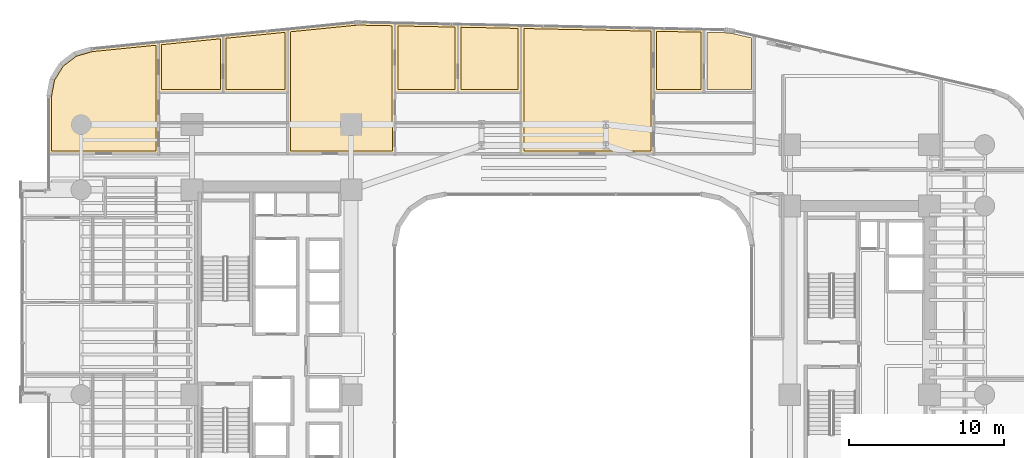
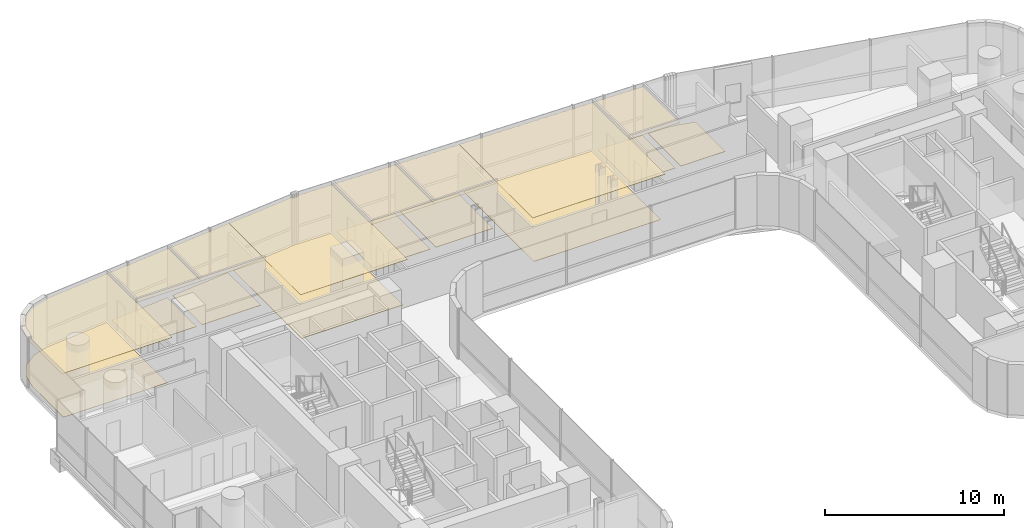
# One storey, part 39 of 40: 17 coverings.
"""IFC4 building model written with IfcOpenShell, lengths in metres."""

from ifc_helpers import new_model, si_unit, direction, frame, origin, place, context, subcontext, project, spatial, polyline, outline, extrude, material, layer, layer_set, type_object, element, save


model = new_model("IFC4")

# Units and contexts
model_context = context("Model", 3, precision=1e-05, world=origin(), true_north=direction((0.0, 1.0)))
body_context = subcontext(model_context, "Body", "Model", "MODEL_VIEW")
ifc_project = project(units=[si_unit("LENGTHUNIT", "METRE"), si_unit("AREAUNIT", "SQUARE_METRE"), si_unit("VOLUMEUNIT", "CUBIC_METRE"), si_unit("PLANEANGLEUNIT", "RADIAN"), si_unit("MASSUNIT", "GRAM", prefix="KILO")], contexts=[model_context])

# Site, building, storey
site_placement = place(None, origin())
site = spatial("IfcSite", under=ifc_project, at=site_placement, CompositionType="ELEMENT")
building_placement = place(site_placement, origin())
building = spatial("IfcBuilding", under=site, at=building_placement, Name="Valdorenza Pilgrim Sanctuary Tower", CompositionType="ELEMENT")
storey_placement = place(building_placement, frame((0.0, 0.0, 40.800048828125)))
storey = spatial("IfcBuildingStorey", under=building, at=storey_placement, Name="L09", CompositionType="ELEMENT", Elevation=40.800048828125)

# Coverings
ifc_material_1 = material(Name="Micro-perforated acoustic mineral ceiling tile", Category="gypsum")
ifc_layer_1 = layer(ifc_material_1, 0.02490234375, Name="Micro-perforated acoustic mineral ceiling tile")
ifc_layer_set_1 = layer_set([ifc_layer_1], Name="Micro-perforated acoustic mineral ceiling tile")
covering_type_1 = type_object("IfcCoveringType", Name="COV-CLG-ACU", PredefinedType="CEILING", material=ifc_layer_set_1)
covering_1_placement = place(storey_placement, frame((0.0, 0.0, 3.159912109375)))
element("IfcCovering", 1, at=covering_1_placement, inside=storey, type_object=covering_type_1, Name="L09 North Family Flat L09-N1 Bedroom 1 Acoustic Ceiling", PredefinedType="CEILING", context=body_context, shape_type="SweptSolid", body=[
    extrude(outline(polyline([(-24.802734375, 16.85498046875), (-24.80419921875, 16.85498046875), (-24.8056640625, 16.855224609375), (-24.80712890625, 16.855712890625), (-24.80859375, 16.856201171875), (-24.809814453125, 16.856689453125), (-24.81103515625, 16.857421875), (-24.812255859375, 16.8583984375), (-24.8134765625, 16.859375), (-24.814453125, 16.860595703125), (-24.815185546875, 16.86181640625), (-24.81591796875, 16.86279296875), (-24.816650390625, 16.8642578125), (-24.817138671875, 16.865478515625), (-24.8173828125, 16.8671875), (-24.817626953125, 16.868408203125), (-24.81787109375, 16.8701171875), (-24.81787109375, 20.109130859375), (-24.817626953125, 20.110595703125), (-24.8173828125, 20.112060546875), (-24.817138671875, 20.113525390625), (-24.816650390625, 20.114990234375), (-24.81591796875, 20.1162109375), (-24.815185546875, 20.117431640625), (-24.814453125, 20.11865234375), (-24.8134765625, 20.119873046875), (-24.812255859375, 20.120849609375), (-24.81103515625, 20.12158203125), (-24.809814453125, 20.122314453125), (-24.80859375, 20.123046875), (-24.80712890625, 20.12353515625), (-24.8056640625, 20.123779296875), (-24.80419921875, 20.1240234375), (-20.644287109375, 20.5400390625), (-20.642822265625, 20.540283203125), (-20.641357421875, 20.5400390625), (-20.639892578125, 20.539794921875), (-20.638671875, 20.53955078125), (-20.63720703125, 20.5390625), (-20.6357421875, 20.538330078125), (-20.634521484375, 20.53759765625), (-20.63330078125, 20.536865234375), (-20.63232421875, 20.535888671875), (-20.63134765625, 20.53466796875), (-20.63037109375, 20.533447265625), (-20.629638671875, 20.5322265625), (-20.62890625, 20.531005859375), (-20.62841796875, 20.529541015625), (-20.628173828125, 20.528076171875), (-20.6279296875, 20.526611328125), (-20.6279296875, 20.525146484375), (-20.6279296875, 16.8701171875), (-20.6279296875, 16.868408203125), (-20.628173828125, 16.8671875), (-20.62841796875, 16.865478515625), (-20.62890625, 16.8642578125), (-20.629638671875, 16.86279296875), (-20.63037109375, 16.86181640625), (-20.63134765625, 16.860595703125), (-20.63232421875, 16.859375), (-20.63330078125, 16.8583984375), (-20.634521484375, 16.857421875), (-20.6357421875, 16.856689453125), (-20.63720703125, 16.856201171875), (-20.638427734375, 16.855712890625), (-20.639892578125, 16.855224609375), (-20.641357421875, 16.85498046875), (-20.642822265625, 16.85498046875), (-24.802734375, 16.85498046875)])), origin(), (0.0, 0.0, 1.0), 0.025146484375),
])
covering_2_placement = place(storey_placement, frame((0.0, 0.0, 3.159912109375)))
element("IfcCovering", 2, at=covering_2_placement, inside=storey, type_object=covering_type_1, Name="L09 North Family Flat L09-N1 Bedroom 2 Acoustic Ceiling", PredefinedType="CEILING", context=body_context, shape_type="SweptSolid", body=[
    extrude(outline(polyline([(-20.656005859375, 20.525146484375), (-20.656005859375, 20.526123046875), (-20.65576171875, 20.527587890625), (-20.655517578125, 20.529296875), (-20.655029296875, 20.530517578125), (-20.654296875, 20.531982421875), (-20.653564453125, 20.533447265625), (-20.652587890625, 20.53466796875), (-20.65185546875, 20.535888671875), (-20.650634765625, 20.536865234375), (-20.6494140625, 20.53759765625), (-20.648193359375, 20.53857421875), (-20.646728515625, 20.539306640625), (-20.6455078125, 20.539794921875), (-20.643798828125, 20.5400390625), (-20.642333984375, 20.540283203125), (-16.484619140625, 20.9560546875), (-16.48291015625, 20.956298828125), (-16.4814453125, 20.9560546875), (-16.47998046875, 20.955810546875), (-16.478759765625, 20.95556640625), (-16.477294921875, 20.955078125), (-16.475830078125, 20.954345703125), (-16.474609375, 20.95361328125), (-16.473388671875, 20.952880859375), (-16.472412109375, 20.951904296875), (-16.471435546875, 20.95068359375), (-16.470458984375, 20.949462890625), (-16.4697265625, 20.9482421875), (-16.468994140625, 20.947021484375), (-16.468505859375, 20.945556640625), (-16.46826171875, 20.944091796875), (-16.468017578125, 20.942626953125), (-16.468017578125, 20.941162109375), (-16.468017578125, 16.8701171875), (-16.468017578125, 16.868408203125), (-16.46826171875, 16.8671875), (-16.468505859375, 16.865478515625), (-16.468994140625, 16.8642578125), (-16.4697265625, 16.86279296875), (-16.470458984375, 16.86181640625), (-16.471435546875, 16.860595703125), (-16.472412109375, 16.859375), (-16.473388671875, 16.8583984375), (-16.474609375, 16.857421875), (-16.475830078125, 16.856689453125), (-16.477294921875, 16.856201171875), (-16.478515625, 16.855712890625), (-16.47998046875, 16.855224609375), (-16.4814453125, 16.85498046875), (-16.48291015625, 16.85498046875), (-20.640869140625, 16.85498046875), (-20.642333984375, 16.85498046875), (-20.643798828125, 16.855224609375), (-20.645263671875, 16.855712890625), (-20.646484375, 16.856201171875), (-20.64794921875, 16.856689453125), (-20.649169921875, 16.857421875), (-20.650390625, 16.8583984375), (-20.651611328125, 16.859375), (-20.652587890625, 16.860595703125), (-20.6533203125, 16.86181640625), (-20.654052734375, 16.86279296875), (-20.65478515625, 16.8642578125), (-20.6552734375, 16.865478515625), (-20.655517578125, 16.8671875), (-20.65576171875, 16.868408203125), (-20.656005859375, 16.8701171875), (-20.656005859375, 20.525146484375), (-20.656005859375, 20.525146484375)])), origin(), (0.0, 0.0, 1.0), 0.025146484375),
])
covering_3_placement = place(storey_placement, frame((0.0, 0.0, 3.159912109375)))
element("IfcCovering", 3, at=covering_3_placement, inside=storey, type_object=covering_type_1, Name="L09 North Family Flat L09-N1 Living Room Acoustic Ceiling", PredefinedType="CEILING", context=body_context, shape_type="SweptSolid", body=[
    extrude(outline(polyline([(-31.889892578125, 12.905029296875), (-31.8916015625, 12.905029296875), (-31.892822265625, 12.9052734375), (-31.894287109375, 12.905517578125), (-31.895751953125, 12.906005859375), (-31.897216796875, 12.90673828125), (-31.898193359375, 12.907470703125), (-31.8994140625, 12.908447265625), (-31.900634765625, 12.909423828125), (-31.901611328125, 12.910400390625), (-31.902587890625, 12.91162109375), (-31.9033203125, 12.912841796875), (-31.90380859375, 12.914306640625), (-31.904296875, 12.91552734375), (-31.90478515625, 12.9169921875), (-31.90478515625, 12.91845703125), (-31.905029296875, 12.919921875), (-31.905029296875, 16.593994140625), (-31.90478515625, 16.59521484375), (-31.90478515625, 16.5966796875), (-31.6962890625, 17.717041015625), (-31.696044921875, 17.718505859375), (-31.695556640625, 17.7197265625), (-31.695068359375, 17.720947265625), (-31.6943359375, 17.72216796875), (-31.102294921875, 18.68408203125), (-31.1015625, 18.685302734375), (-31.100830078125, 18.686279296875), (-31.099853515625, 18.687255859375), (-31.0986328125, 18.688232421875), (-30.20068359375, 19.372802734375), (-30.199462890625, 19.37353515625), (-30.1982421875, 19.374267578125), (-30.197021484375, 19.374755859375), (-30.19580078125, 19.375244140625), (-29.1015625, 19.694091796875), (-29.10009765625, 19.694580078125), (-29.098876953125, 19.694580078125), (-24.806396484375, 20.123779296875), (-24.8046875, 20.1240234375), (-24.80322265625, 20.123779296875), (-24.802001953125, 20.123779296875), (-24.800537109375, 20.123291015625), (-24.799072265625, 20.122802734375), (-24.797607421875, 20.122314453125), (-24.79638671875, 20.12158203125), (-24.79541015625, 20.12060546875), (-24.794189453125, 20.11962890625), (-24.793212890625, 20.118408203125), (-24.792236328125, 20.1171875), (-24.79150390625, 20.1162109375), (-24.791015625, 20.11474609375), (-24.790283203125, 20.11328125), (-24.7900390625, 20.11181640625), (-24.789794921875, 20.110595703125), (-24.789794921875, 20.10888671875), (-24.789794921875, 16.87548828125), (-24.78955078125, 16.875), (-24.788818359375, 16.87353515625), (-24.788330078125, 16.872314453125), (-24.7880859375, 16.870849609375), (-24.787841796875, 16.869384765625), (-24.787841796875, 16.867919921875), (-24.787841796875, 12.919921875), (-24.787841796875, 12.91845703125), (-24.7880859375, 12.9169921875), (-24.788330078125, 12.91552734375), (-24.788818359375, 12.914306640625), (-24.78955078125, 12.912841796875), (-24.790283203125, 12.91162109375), (-24.791259765625, 12.910400390625), (-24.792236328125, 12.909423828125), (-24.793212890625, 12.908447265625), (-24.79443359375, 12.907470703125), (-24.795654296875, 12.90673828125), (-24.797119140625, 12.906005859375), (-24.79833984375, 12.905517578125), (-24.7998046875, 12.9052734375), (-24.80126953125, 12.905029296875), (-24.802734375, 12.905029296875), (-31.889892578125, 12.905029296875)])), origin(), (0.0, 0.0, 1.0), 0.025146484375),
])
covering_4_placement = place(storey_placement, frame((0.0, 0.0, 3.159912109375)))
element("IfcCovering", 4, at=covering_4_placement, inside=storey, type_object=covering_type_1, Name="L09 North Family Flat L09-N2 Bedroom 1 Acoustic Ceiling", PredefinedType="CEILING", context=body_context, shape_type="SweptSolid", body=[
    extrude(outline(polyline([(-9.57568359375, 16.85498046875), (-9.5771484375, 16.85498046875), (-9.57861328125, 16.855224609375), (-9.580078125, 16.855712890625), (-9.581298828125, 16.856201171875), (-9.582763671875, 16.856689453125), (-9.583984375, 16.857421875), (-9.585205078125, 16.8583984375), (-9.586181640625, 16.859375), (-9.587158203125, 16.860595703125), (-9.588134765625, 16.86181640625), (-9.5888671875, 16.86279296875), (-9.589599609375, 16.8642578125), (-9.590087890625, 16.865478515625), (-9.59033203125, 16.8671875), (-9.590576171875, 16.868408203125), (-9.590576171875, 16.8701171875), (-9.590576171875, 21.339599609375), (-9.590576171875, 21.341064453125), (-9.59033203125, 21.342529296875), (-9.58984375, 21.343994140625), (-9.58935546875, 21.34521484375), (-9.5888671875, 21.3466796875), (-9.587890625, 21.347900390625), (-9.587158203125, 21.34912109375), (-9.586181640625, 21.35009765625), (-9.5849609375, 21.351318359375), (-9.583740234375, 21.35205078125), (-9.58251953125, 21.352783203125), (-9.5810546875, 21.353515625), (-9.57958984375, 21.35400390625), (-9.578369140625, 21.354248046875), (-9.576904296875, 21.3544921875), (-9.5751953125, 21.3544921875), (-5.52099609375, 21.27001953125), (-5.51953125, 21.27001953125), (-5.51806640625, 21.269775390625), (-5.5166015625, 21.269287109375), (-5.515380859375, 21.268798828125), (-5.513916015625, 21.26806640625), (-5.5126953125, 21.267333984375), (-5.51171875, 21.2666015625), (-5.510498046875, 21.265380859375), (-5.509521484375, 21.264404296875), (-5.5087890625, 21.26318359375), (-5.508056640625, 21.261962890625), (-5.50732421875, 21.2607421875), (-5.5068359375, 21.25927734375), (-5.506591796875, 21.2578125), (-5.50634765625, 21.256591796875), (-5.50634765625, 21.2548828125), (-5.50634765625, 16.8701171875), (-5.50634765625, 16.868408203125), (-5.506591796875, 16.8671875), (-5.5068359375, 16.865478515625), (-5.50732421875, 16.8642578125), (-5.508056640625, 16.86279296875), (-5.5087890625, 16.86181640625), (-5.509765625, 16.860595703125), (-5.5107421875, 16.859375), (-5.51171875, 16.8583984375), (-5.512939453125, 16.857421875), (-5.51416015625, 16.856689453125), (-5.515625, 16.856201171875), (-5.516845703125, 16.855712890625), (-5.518310546875, 16.855224609375), (-5.519775390625, 16.85498046875), (-5.521240234375, 16.85498046875), (-9.57568359375, 16.85498046875)])), origin(), (0.0, 0.0, 1.0), 0.025146484375),
])
covering_5_placement = place(storey_placement, frame((0.0, 0.0, 3.159912109375)))
element("IfcCovering", 5, at=covering_5_placement, inside=storey, type_object=covering_type_1, Name="L09 North Family Flat L09-N2 Bedroom 2 Acoustic Ceiling", PredefinedType="CEILING", context=body_context, shape_type="SweptSolid", body=[
    extrude(outline(polyline([(-5.519287109375, 16.85498046875), (-5.520751953125, 16.85498046875), (-5.522216796875, 16.855224609375), (-5.523681640625, 16.855712890625), (-5.52490234375, 16.856201171875), (-5.5263671875, 16.856689453125), (-5.527587890625, 16.857421875), (-5.52880859375, 16.8583984375), (-5.52978515625, 16.859375), (-5.531005859375, 16.860595703125), (-5.53173828125, 16.86181640625), (-5.532470703125, 16.86279296875), (-5.533203125, 16.8642578125), (-5.53369140625, 16.865478515625), (-5.533935546875, 16.8671875), (-5.5341796875, 16.868408203125), (-5.5341796875, 16.8701171875), (-5.5341796875, 21.2548828125), (-5.5341796875, 21.256591796875), (-5.533935546875, 21.2578125), (-5.53369140625, 21.259521484375), (-5.533203125, 21.2607421875), (-5.532470703125, 21.26220703125), (-5.53173828125, 21.263427734375), (-5.53076171875, 21.2646484375), (-5.52978515625, 21.265625), (-5.52880859375, 21.2666015625), (-5.527587890625, 21.267578125), (-5.526123046875, 21.268310546875), (-5.52490234375, 21.268798828125), (-5.5234375, 21.269287109375), (-5.52197265625, 21.269775390625), (-5.5205078125, 21.27001953125), (-5.51904296875, 21.27001953125), (-1.466796875, 21.185546875), (-1.465087890625, 21.185546875), (-1.4638671875, 21.185302734375), (-1.46240234375, 21.184814453125), (-1.4609375, 21.184326171875), (-1.459716796875, 21.18359375), (-1.45849609375, 21.182861328125), (-1.457275390625, 21.181884765625), (-1.456298828125, 21.18115234375), (-1.455322265625, 21.179931640625), (-1.45458984375, 21.1787109375), (-1.45361328125, 21.177490234375), (-1.453125, 21.17626953125), (-1.45263671875, 21.1748046875), (-1.452392578125, 21.17333984375), (-1.4521484375, 21.172119140625), (-1.451904296875, 21.170654296875), (-1.451904296875, 16.8701171875), (-1.4521484375, 16.868408203125), (-1.452392578125, 16.8671875), (-1.45263671875, 16.865478515625), (-1.453125, 16.8642578125), (-1.453857421875, 16.86279296875), (-1.45458984375, 16.86181640625), (-1.455322265625, 16.860595703125), (-1.456298828125, 16.859375), (-1.45751953125, 16.8583984375), (-1.458740234375, 16.857421875), (-1.4599609375, 16.856689453125), (-1.461181640625, 16.856201171875), (-1.462646484375, 16.855712890625), (-1.464111328125, 16.855224609375), (-1.465576171875, 16.85498046875), (-1.467041015625, 16.85498046875), (-5.519287109375, 16.85498046875)])), origin(), (0.0, 0.0, 1.0), 0.025146484375),
])
covering_6_placement = place(storey_placement, frame((0.0, 0.0, 3.159912109375)))
element("IfcCovering", 6, at=covering_6_placement, inside=storey, type_object=covering_type_1, Name="L09 North Family Flat L09-N2 Living Room Acoustic Ceiling", PredefinedType="CEILING", context=body_context, shape_type="SweptSolid", body=[
    extrude(outline(polyline([(-16.49609375, 14.918212890625), (-16.49609375, 14.9189453125), (-16.496337890625, 14.92041015625), (-16.49609375, 14.922119140625), (-16.49609375, 14.923583984375), (-16.49609375, 14.923828125), (-16.49609375, 16.8662109375), (-16.49609375, 16.866943359375), (-16.496337890625, 16.868408203125), (-16.49609375, 16.8701171875), (-16.49609375, 16.87158203125), (-16.49609375, 16.871826171875), (-16.49609375, 20.941162109375), (-16.49609375, 20.941162109375), (-16.49609375, 20.942138671875), (-16.495849609375, 20.943603515625), (-16.49560546875, 20.9453125), (-16.4951171875, 20.946533203125), (-16.494384765625, 20.947998046875), (-16.49365234375, 20.94921875), (-16.492919921875, 20.95068359375), (-16.491943359375, 20.95166015625), (-16.49072265625, 20.952880859375), (-16.489501953125, 20.95361328125), (-16.48828125, 20.95458984375), (-16.48681640625, 20.955078125), (-16.485595703125, 20.955810546875), (-16.48388671875, 20.9560546875), (-16.482421875, 20.956298828125), (-12.18359375, 21.38623046875), (-12.183349609375, 21.38623046875), (-12.089599609375, 21.39404296875), (-12.089111328125, 21.39404296875), (-11.996337890625, 21.399169921875), (-11.995849609375, 21.3994140625), (-11.902587890625, 21.401611328125), (-11.90234375, 21.401611328125), (-11.808349609375, 21.40087890625), (-11.80810546875, 21.40087890625), (-9.577392578125, 21.3544921875), (-9.57568359375, 21.3544921875), (-9.574462890625, 21.354248046875), (-9.572998046875, 21.353759765625), (-9.571533203125, 21.353271484375), (-9.5703125, 21.352783203125), (-9.569091796875, 21.351806640625), (-9.56787109375, 21.35107421875), (-9.56689453125, 21.35009765625), (-9.56591796875, 21.348876953125), (-9.565185546875, 21.347900390625), (-9.564208984375, 21.346435546875), (-9.563720703125, 21.34521484375), (-9.563232421875, 21.34375), (-9.56298828125, 21.34228515625), (-9.562744140625, 21.341064453125), (-9.5625, 21.339599609375), (-9.5625, 16.87548828125), (-9.562255859375, 16.875), (-9.561767578125, 16.87353515625), (-9.561279296875, 16.872314453125), (-9.560791015625, 16.870849609375), (-9.560791015625, 16.869384765625), (-9.560546875, 16.867919921875), (-9.560546875, 12.919921875), (-9.560791015625, 12.91845703125), (-9.560791015625, 12.9169921875), (-9.561279296875, 12.91552734375), (-9.561767578125, 12.914306640625), (-9.5625, 12.912841796875), (-9.56298828125, 12.91162109375), (-9.56396484375, 12.910400390625), (-9.56494140625, 12.909423828125), (-9.566162109375, 12.908447265625), (-9.5673828125, 12.907470703125), (-9.568603515625, 12.90673828125), (-9.56982421875, 12.906005859375), (-9.5712890625, 12.905517578125), (-9.57275390625, 12.9052734375), (-9.57421875, 12.905029296875), (-9.57568359375, 12.905029296875), (-16.48095703125, 12.905029296875), (-16.482421875, 12.905029296875), (-16.48388671875, 12.9052734375), (-16.4853515625, 12.905517578125), (-16.48681640625, 12.906005859375), (-16.488037109375, 12.90673828125), (-16.4892578125, 12.907470703125), (-16.490478515625, 12.908447265625), (-16.49169921875, 12.909423828125), (-16.49267578125, 12.910400390625), (-16.493408203125, 12.91162109375), (-16.494140625, 12.912841796875), (-16.494873046875, 12.914306640625), (-16.495361328125, 12.91552734375), (-16.49560546875, 12.9169921875), (-16.495849609375, 12.91845703125), (-16.49609375, 12.919921875), (-16.49609375, 14.918212890625)])), origin(), (0.0, 0.0, 1.0), 0.025146484375),
])
covering_7_placement = place(storey_placement, frame((0.0, 0.0, 3.159912109375)))
element("IfcCovering", 7, at=covering_7_placement, inside=storey, type_object=covering_type_1, Name="L09 North Family Flat L09-N3 Bedroom 1 Acoustic Ceiling", PredefinedType="CEILING", context=body_context, shape_type="SweptSolid", body=[
    extrude(outline(polyline([(7.0908203125, 16.85498046875), (7.08935546875, 16.85498046875), (7.087890625, 16.855224609375), (7.08642578125, 16.855712890625), (7.085205078125, 16.856201171875), (7.083740234375, 16.856689453125), (7.08251953125, 16.857421875), (7.081298828125, 16.8583984375), (7.080078125, 16.859375), (7.0791015625, 16.860595703125), (7.078369140625, 16.86181640625), (7.07763671875, 16.86279296875), (7.076904296875, 16.8642578125), (7.076416015625, 16.865478515625), (7.076171875, 16.8671875), (7.075927734375, 16.868408203125), (7.07568359375, 16.8701171875), (7.07568359375, 20.9921875), (7.075927734375, 20.993896484375), (7.076171875, 20.9951171875), (7.076416015625, 20.99658203125), (7.076904296875, 20.998046875), (7.07763671875, 20.99951171875), (7.078369140625, 21.000732421875), (7.079345703125, 21.001953125), (7.080322265625, 21.0029296875), (7.081298828125, 21.00390625), (7.08251953125, 21.0048828125), (7.083984375, 21.005615234375), (7.085205078125, 21.006103515625), (7.086669921875, 21.006591796875), (7.088134765625, 21.007080078125), (7.089599609375, 21.007080078125), (7.091064453125, 21.00732421875), (10.32080078125, 20.93994140625), (10.322265625, 20.93994140625), (10.323486328125, 20.939697265625), (10.324951171875, 20.939208984375), (10.326416015625, 20.938720703125), (10.32763671875, 20.93798828125), (10.328857421875, 20.937255859375), (10.330078125, 20.9365234375), (10.3310546875, 20.935546875), (10.33203125, 20.934326171875), (10.3330078125, 20.93310546875), (10.333740234375, 20.931884765625), (10.334228515625, 20.9306640625), (10.334716796875, 20.92919921875), (10.335205078125, 20.927978515625), (10.335205078125, 20.926513671875), (10.33544921875, 20.925048828125), (10.33544921875, 16.8701171875), (10.335205078125, 16.868408203125), (10.335205078125, 16.8671875), (10.334716796875, 16.865478515625), (10.334228515625, 16.8642578125), (10.33349609375, 16.86279296875), (10.3330078125, 16.86181640625), (10.33203125, 16.860595703125), (10.3310546875, 16.859375), (10.329833984375, 16.8583984375), (10.32861328125, 16.857421875), (10.327392578125, 16.856689453125), (10.326171875, 16.856201171875), (10.32470703125, 16.855712890625), (10.3232421875, 16.855224609375), (10.322021484375, 16.85498046875), (10.3203125, 16.85498046875), (7.0908203125, 16.85498046875)])), origin(), (0.0, 0.0, 1.0), 0.025146484375),
])
covering_8_placement = place(storey_placement, frame((0.0, 0.0, 3.159912109375)))
element("IfcCovering", 8, at=covering_8_placement, inside=storey, type_object=covering_type_1, Name="L09 North Family Flat L09-N3 Living Room Acoustic Ceiling", PredefinedType="CEILING", context=body_context, shape_type="SweptSolid", body=[
    extrude(outline(polyline([(-1.47998046875, 14.918212890625), (-1.47998046875, 14.9189453125), (-1.480224609375, 14.92041015625), (-1.480224609375, 14.922119140625), (-1.47998046875, 14.923583984375), (-1.47998046875, 14.923828125), (-1.47998046875, 16.8662109375), (-1.47998046875, 16.866943359375), (-1.480224609375, 16.868408203125), (-1.480224609375, 16.8701171875), (-1.47998046875, 16.87158203125), (-1.47998046875, 16.871826171875), (-1.47998046875, 21.17041015625), (-1.47998046875, 21.172119140625), (-1.479736328125, 21.173583984375), (-1.479248046875, 21.1748046875), (-1.478759765625, 21.17626953125), (-1.478271484375, 21.177734375), (-1.477294921875, 21.178955078125), (-1.4765625, 21.18017578125), (-1.4755859375, 21.18115234375), (-1.474365234375, 21.18212890625), (-1.47314453125, 21.18310546875), (-1.471923828125, 21.183837890625), (-1.470458984375, 21.1845703125), (-1.468994140625, 21.184814453125), (-1.4677734375, 21.185302734375), (-1.46630859375, 21.185546875), (-1.464599609375, 21.185546875), (7.089111328125, 21.00732421875), (7.090576171875, 21.007080078125), (7.092041015625, 21.007080078125), (7.093505859375, 21.006591796875), (7.0947265625, 21.006103515625), (7.09619140625, 21.00537109375), (7.097412109375, 21.004638671875), (7.098388671875, 21.00390625), (7.099609375, 21.002685546875), (7.1005859375, 21.001708984375), (7.101318359375, 21.00048828125), (7.10205078125, 20.999267578125), (7.102783203125, 20.998046875), (7.103271484375, 20.99658203125), (7.103515625, 20.9951171875), (7.103759765625, 20.993896484375), (7.103759765625, 20.9921875), (7.103759765625, 16.87548828125), (7.10400390625, 16.875), (7.104736328125, 16.87353515625), (7.105224609375, 16.872314453125), (7.10546875, 16.870849609375), (7.105712890625, 16.869384765625), (7.105712890625, 16.867919921875), (7.105712890625, 12.919921875), (7.105712890625, 12.91845703125), (7.10546875, 12.9169921875), (7.105224609375, 12.91552734375), (7.104736328125, 12.914306640625), (7.10400390625, 12.912841796875), (7.103271484375, 12.91162109375), (7.102294921875, 12.910400390625), (7.101318359375, 12.909423828125), (7.100341796875, 12.908447265625), (7.09912109375, 12.907470703125), (7.097900390625, 12.90673828125), (7.096435546875, 12.906005859375), (7.09521484375, 12.905517578125), (7.09375, 12.9052734375), (7.09228515625, 12.905029296875), (7.0908203125, 12.905029296875), (-1.465087890625, 12.905029296875), (-1.466552734375, 12.905029296875), (-1.468017578125, 12.9052734375), (-1.469482421875, 12.905517578125), (-1.470703125, 12.906005859375), (-1.47216796875, 12.90673828125), (-1.473388671875, 12.907470703125), (-1.474609375, 12.908447265625), (-1.4755859375, 12.909423828125), (-1.4765625, 12.910400390625), (-1.4775390625, 12.91162109375), (-1.478271484375, 12.912841796875), (-1.47900390625, 12.914306640625), (-1.4794921875, 12.91552734375), (-1.479736328125, 12.9169921875), (-1.47998046875, 12.91845703125), (-1.47998046875, 12.919921875), (-1.47998046875, 14.918212890625)])), origin(), (0.0, 0.0, 1.0), 0.025146484375),
])
ifc_material_2 = material(Name="Engineered European oak timber flooring", Category="wood")
ifc_layer_2 = layer(ifc_material_2, 0.02197265625, Name="Engineered European oak timber flooring")
ifc_layer_set_2 = layer_set([ifc_layer_2], Name="Engineered European oak timber flooring")
covering_type_2 = type_object("IfcCoveringType", Name="COV-FLR-OAK", PredefinedType="FLOORING", material=ifc_layer_set_2)
covering_9_placement = place(storey_placement, origin())
element("IfcCovering", 9, at=covering_9_placement, inside=storey, type_object=covering_type_2, Name="L09 North Family Flat L09-N1 Bedroom 1 Flooring", PredefinedType="FLOORING", context=body_context, shape_type="SweptSolid", body=[
    extrude(outline(polyline([(-24.622802734375, 17.050048828125), (-24.622802734375, 19.9462890625), (-20.822998046875, 20.326416015625), (-20.822998046875, 17.050048828125), (-24.622802734375, 17.050048828125)])), origin(), (0.0, 0.0, 1.0), 0.02490234375),
])
covering_10_placement = place(storey_placement, origin())
element("IfcCovering", 10, at=covering_10_placement, inside=storey, type_object=covering_type_2, Name="L09 North Family Flat L09-N1 Bedroom 2 Flooring", PredefinedType="FLOORING", context=body_context, shape_type="SweptSolid", body=[
    extrude(outline(polyline([(-20.4609375, 17.050048828125), (-20.4609375, 20.3623046875), (-16.6630859375, 20.7421875), (-16.6630859375, 17.050048828125), (-20.4609375, 17.050048828125)])), origin(), (0.0, 0.0, 1.0), 0.02490234375),
])
covering_11_placement = place(storey_placement, origin())
element("IfcCovering", 11, at=covering_11_placement, inside=storey, type_object=covering_type_2, Name="L09 North Family Flat L09-N1 Living Room Flooring", PredefinedType="FLOORING", context=body_context, shape_type="SweptSolid", body=[
    extrude(outline(polyline([(-31.7099609375, 13.10009765625), (-31.7099609375, 16.577392578125), (-31.5107421875, 17.6484375), (-30.953857421875, 18.553466796875), (-30.109130859375, 19.197509765625), (-29.06298828125, 19.502197265625), (-24.98486328125, 19.91015625), (-24.98486328125, 16.8701171875), (-24.98291015625, 13.10009765625), (-31.7099609375, 13.10009765625)])), origin(), (0.0, 0.0, 1.0), 0.02490234375),
])
covering_12_placement = place(storey_placement, origin())
element("IfcCovering", 12, at=covering_12_placement, inside=storey, type_object=covering_type_2, Name="L09 North Family Flat L09-N2 Bedroom 1 Flooring", PredefinedType="FLOORING", context=body_context, shape_type="SweptSolid", body=[
    extrude(outline(polyline([(-9.3955078125, 17.050048828125), (-9.3955078125, 21.15576171875), (-5.701416015625, 21.07861328125), (-5.701416015625, 17.050048828125), (-9.3955078125, 17.050048828125)])), origin(), (0.0, 0.0, 1.0), 0.02490234375),
])
covering_13_placement = place(storey_placement, origin())
element("IfcCovering", 13, at=covering_13_placement, inside=storey, type_object=covering_type_2, Name="L09 North Family Flat L09-N2 Bedroom 2 Flooring", PredefinedType="FLOORING", context=body_context, shape_type="SweptSolid", body=[
    extrude(outline(polyline([(-5.33935546875, 17.050048828125), (-5.33935546875, 21.0712890625), (-1.64697265625, 20.994384765625), (-1.64697265625, 17.050048828125), (-5.33935546875, 17.050048828125)])), origin(), (0.0, 0.0, 1.0), 0.02490234375),
])
covering_14_placement = place(storey_placement, origin())
element("IfcCovering", 14, at=covering_14_placement, inside=storey, type_object=covering_type_2, Name="L09 North Family Flat L09-N2 Living Room Flooring", PredefinedType="FLOORING", context=body_context, shape_type="SweptSolid", body=[
    extrude(outline(polyline([(-16.301025390625, 14.921630859375), (-16.301025390625, 14.922119140625), (-16.301025390625, 16.867919921875), (-16.301025390625, 16.868896484375), (-16.301025390625, 16.86962890625), (-16.301025390625, 16.8701171875), (-16.301025390625, 20.7783203125), (-12.16552734375, 21.19189453125), (-12.07568359375, 21.19970703125), (-11.98828125, 21.204345703125), (-11.900634765625, 21.20654296875), (-11.810791015625, 21.2060546875), (-9.757568359375, 21.1630859375), (-9.757568359375, 16.8701171875), (-9.755615234375, 13.10009765625), (-16.301025390625, 13.10009765625), (-16.301025390625, 14.919921875), (-16.301025390625, 14.9208984375), (-16.301025390625, 14.921630859375)])), origin(), (0.0, 0.0, 1.0), 0.02490234375),
])
covering_15_placement = place(storey_placement, origin())
element("IfcCovering", 15, at=covering_15_placement, inside=storey, type_object=covering_type_2, Name="L09 North Family Flat L09-N3 Bedroom 1 Flooring", PredefinedType="FLOORING", context=body_context, shape_type="SweptSolid", body=[
    extrude(outline(polyline([(7.270751953125, 17.050048828125), (7.270751953125, 20.80859375), (10.140380859375, 20.748779296875), (10.140380859375, 17.050048828125), (7.270751953125, 17.050048828125)])), origin(), (0.0, 0.0, 1.0), 0.02490234375),
])
covering_16_placement = place(storey_placement, origin())
element("IfcCovering", 16, at=covering_16_placement, inside=storey, type_object=covering_type_2, Name="L09 North Family Flat L09-N3 Bedroom 2 Flooring", PredefinedType="FLOORING", context=body_context, shape_type="SweptSolid", body=[
    extrude(outline(polyline([(10.50244140625, 17.050048828125), (10.50244140625, 20.7412109375), (11.65966796875, 20.717041015625), (11.81298828125, 20.7099609375), (11.962158203125, 20.6953125), (12.110107421875, 20.6728515625), (12.2607421875, 20.64208984375), (13.3701171875, 20.38623046875), (13.3701171875, 17.050048828125), (10.50244140625, 17.050048828125)])), origin(), (0.0, 0.0, 1.0), 0.02490234375),
])
covering_17_placement = place(storey_placement, origin())
element("IfcCovering", 17, at=covering_17_placement, inside=storey, type_object=covering_type_2, Name="L09 North Family Flat L09-N3 Living Room Flooring", PredefinedType="FLOORING", context=body_context, shape_type="SweptSolid", body=[
    extrude(outline(polyline([(-1.284912109375, 14.921630859375), (-1.284912109375, 14.922119140625), (-1.284912109375, 16.867919921875), (-1.284912109375, 16.868896484375), (-1.284912109375, 16.86962890625), (-1.284912109375, 16.8701171875), (-1.284912109375, 20.98681640625), (6.90869140625, 20.81591796875), (6.90869140625, 16.8701171875), (6.91064453125, 13.10009765625), (-1.284912109375, 13.10009765625), (-1.284912109375, 14.919921875), (-1.284912109375, 14.9208984375), (-1.284912109375, 14.921630859375)])), origin(), (0.0, 0.0, 1.0), 0.02490234375),
])

save(model, "model.ifc")
